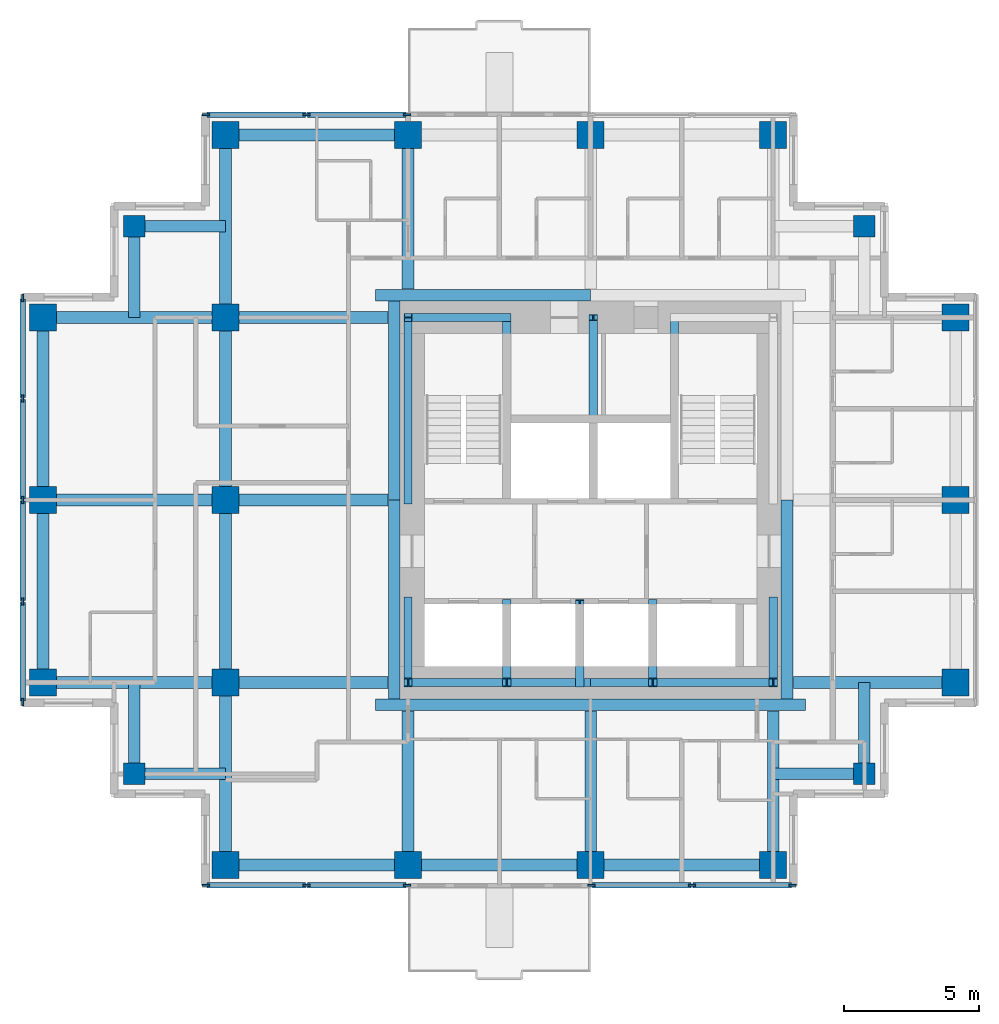
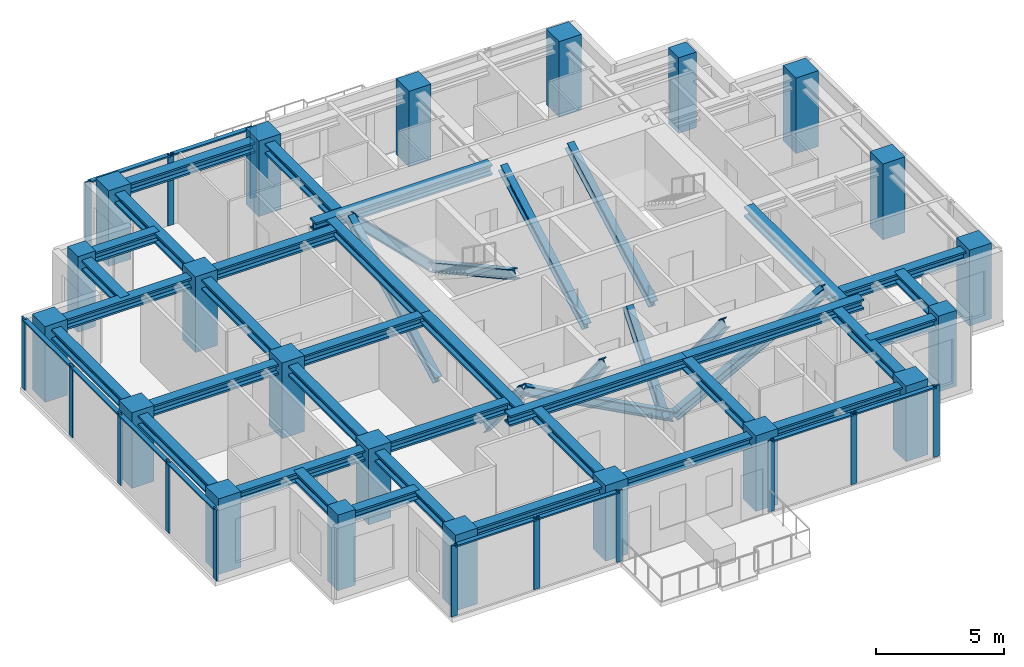
# One storey, part 1 of 8: 36 members, 33 beams, 21 columns, 4 elements without a shape of their own.
"""IFC4 building model written with IfcOpenShell, lengths in metres."""

from ifc_helpers import new_model, si_unit, direction, frame, origin, origin_2d, place, context, subcontext, project, spatial, rectangle, i_section, extrude, material, material_profile, profile_set, type_object, element, aggregate, save


model = new_model("IFC4")

# Units and contexts
model_context = context("Model", 3, precision=1e-05, world=origin(), true_north=direction((0.0, 1.0)))
body_context = subcontext(model_context, "Body", "Model", "MODEL_VIEW")
ifc_project = project(units=[si_unit("LENGTHUNIT", "METRE"), si_unit("AREAUNIT", "SQUARE_METRE"), si_unit("VOLUMEUNIT", "CUBIC_METRE"), si_unit("PLANEANGLEUNIT", "RADIAN"), si_unit("MASSUNIT", "GRAM", prefix="KILO")], contexts=[model_context])

# Site, building, storey
site_placement = place(None, origin())
site = spatial("IfcSite", under=ifc_project, at=site_placement, CompositionType="ELEMENT")
building_placement = place(site_placement, origin())
building = spatial("IfcBuilding", under=site, at=building_placement, Name="Nyansa Garden Tower", CompositionType="ELEMENT")
storey_placement = place(building_placement, frame((0.0, 0.0, 233.10009765625)))
storey = spatial("IfcBuildingStorey", under=building, at=storey_placement, Name="L63", CompositionType="ELEMENT", Elevation=233.10009765625)

# Columns
ifc_material_1 = material(Name="Concrete C70/85", Category="concrete")
ifc_material_profile_1 = material_profile(ifc_material_1, rectangle(XDim=1.0, YDim=1.0, at=origin_2d()), Name="RC 1000x1000")
ifc_profile_set_1 = profile_set([ifc_material_profile_1], Name="Concrete C70/85")
column_type_1 = type_object("IfcColumnType", Name="Column C100 RC 1000x1000", PredefinedType="COLUMN", material=ifc_profile_set_1)
for number, where, z_axis, x_axis, name in (
    (1, (0.0, 13.5, 0.0), (0.0, 0.0, 1.0), (1.0, 0.0, 0.0), "Column 2/F L63"),
    (2, (0.0, 20.25, 0.0), (0.0, 0.0, 1.0), (1.0, 0.0, 0.0), "Column 2/G L63"),
    (3, (0.0, 27.0, 0.0), (0.0, 0.0, 1.0), (1.0, 0.0, 0.0), "Column 2/H L63"),
    (4, (6.75, 6.75, 0.0), (0.0, 0.0, 1.0), (1.0, 0.0, 0.0), "Column 3/E L63"),
    (5, (6.75, 13.5, 0.0), (0.0, 0.0, 1.0), (1.0, 0.0, 0.0), "Column 3/F L63"),
    (6, (6.75, 20.25, 0.0), (0.0, 0.0, 1.0), (1.0, 0.0, 0.0), "Column 3/G L63"),
    (7, (6.75, 27.0, 0.0), (0.0, 0.0, 1.0), (1.0, 0.0, 0.0), "Column 3/H L63"),
    (8, (6.75, 33.75, 0.0), (0.0, 0.0, 1.0), (1.0, 0.0, 0.0), "Column 3/J L63"),
    (9, (13.5, 6.75, 0.0), (0.0, 0.0, 1.0), (1.0, 0.0, 0.0), "Column 4/E L63"),
    (10, (13.5, 33.75, 0.0), (0.0, 0.0, 1.0), (1.0, 0.0, 0.0), "Column 4/J L63"),
    (11, (20.25, 6.75, 0.0), (0.0, 0.0, 1.0), (1.0, 0.0, 0.0), "Column 5/E L63"),
    (12, (20.25, 33.75, 0.0), (0.0, 0.0, 1.0), (1.0, 0.0, 0.0), "Column 5/J L63"),
    (13, (27.0, 6.75, 0.0), (0.0, 0.0, 1.0), (1.0, 0.0, 0.0), "Column 6/E L63"),
    (14, (27.0, 33.75, 0.0), (0.0, 0.0, 1.0), (1.0, 0.0, 0.0), "Column 6/J L63"),
    (15, (33.75, 13.5, 0.0), (0.0, 0.0, 1.0), (1.0, 0.0, 0.0), "Column 7/F L63"),
    (16, (33.75, 20.25, 0.0), (0.0, 0.0, 1.0), (1.0, 0.0, 0.0), "Column 7/G L63"),
    (17, (33.75, 27.0, 0.0), (0.0, 0.0, 1.0), (1.0, 0.0, 0.0), "Column 7/H L63"),
):
    element("IfcColumn", number, at=place(storey_placement, frame(where, z_axis=z_axis, x_axis=x_axis)), inside=storey, type_object=column_type_1, Name=name, PredefinedType="COLUMN", context=body_context, shape_type="SweptSolid", body=[
        extrude(rectangle(XDim=1.0, YDim=1.0, at=origin_2d()), origin(), (0.0, 0.0, 1.0), 3.599853515625),
    ])
ifc_material_2 = material(Name="Concrete C70/85", Category="concrete")
ifc_material_profile_2 = material_profile(ifc_material_2, rectangle(XDim=0.800048828125, YDim=0.800048828125, at=origin_2d()), Name="RC 800x800")
ifc_profile_set_2 = profile_set([ifc_material_profile_2], Name="Concrete C70/85")
column_type_2 = type_object("IfcColumnType", Name="Column C80 RC 800x800", PredefinedType="COLUMN", material=ifc_profile_set_2)
for number, where, z_axis, x_axis, name in (
    (18, (3.375, 10.125, 0.0), (0.0, 0.0, 1.0), (1.0, 0.0, 0.0), "Column x3.375/y10.125 L63"),
    (19, (3.375, 30.375, 0.0), (0.0, 0.0, 1.0), (1.0, 0.0, 0.0), "Column x3.375/y30.375 L63"),
    (20, (30.375, 10.125, 0.0), (0.0, 0.0, 1.0), (1.0, 0.0, 0.0), "Column x30.375/y10.125 L63"),
    (21, (30.375, 30.375, 0.0), (0.0, 0.0, 1.0), (1.0, 0.0, 0.0), "Column x30.375/y30.375 L63"),
):
    element("IfcColumn", number, at=place(storey_placement, frame(where, z_axis=z_axis, x_axis=x_axis)), inside=storey, type_object=column_type_2, Name=name, PredefinedType="COLUMN", context=body_context, shape_type="SweptSolid", body=[
        extrude(rectangle(XDim=0.800048828125, YDim=0.800048828125, at=origin_2d()), origin(), (0.0, 0.0, 1.0), 3.599853515625),
    ])

# Curtain wall, members
ifc_material_3 = material(Name="Black anodised aluminium, dark tinted double glazing", Category="aluminium")
curtain_wall_type = type_object("IfcCurtainWallType", Name="Inner skin curtain wall ISW-D", PredefinedType="USERDEFINED", material=ifc_material_3)
curtain_wall_1_placement = place(storey_placement, origin())
curtain_wall_1 = element("IfcCurtainWall", 22, at=curtain_wall_1_placement, inside=storey, type_object=curtain_wall_type, Name="Inner skin curtain wall L63 N", ObjectType="UNITISED CURTAIN WALL", PredefinedType="USERDEFINED")
ifc_material_4 = material(Name="Black anodised aluminium", Category="aluminium")
ifc_material_profile_3 = material_profile(ifc_material_4, rectangle(XDim=0.070068359375, YDim=0.27490234375, at=origin_2d()), Name="Mullion 275x70")
ifc_profile_set_3 = profile_set([ifc_material_profile_3], Name="Black anodised aluminium")
member_type_1 = type_object("IfcMemberType", Name="Mullion ISW-D 275x70", PredefinedType="MULLION", material=ifc_profile_set_3)
member_1_placement = place(storey_placement, frame((13.465087890625, 34.5, 0.0), z_axis=(0.0, 0.0, 1.0), x_axis=(0.0, -1.0, 0.0)))
member_1 = element("IfcMember", 23, at=member_1_placement, type_object=member_type_1, Name="ISW-D mullion 1", PredefinedType="MULLION", context=body_context, shape_type="SweptSolid", body=[
    extrude(rectangle(XDim=0.070068359375, YDim=0.27490234375, at=origin_2d()), origin(), (0.0, 0.0, 1.0), 3.375),
])
member_2_placement = place(storey_placement, frame((9.75, 34.5, 0.0), z_axis=(0.0, 0.0, 1.0), x_axis=(0.0, -1.0, 0.0)))
member_2 = element("IfcMember", 24, at=member_2_placement, type_object=member_type_1, Name="ISW-D mullion 2", PredefinedType="MULLION", context=body_context, shape_type="SweptSolid", body=[
    extrude(rectangle(XDim=0.070068359375, YDim=0.27490234375, at=origin_2d()), origin(), (0.0, 0.0, 1.0), 3.375),
])
member_3_placement = place(storey_placement, frame((6.034912109375, 34.5, 0.0), z_axis=(0.0, 0.0, 1.0), x_axis=(0.0, -1.0, 0.0)))
member_3 = element("IfcMember", 25, at=member_3_placement, type_object=member_type_1, Name="ISW-D mullion 3", PredefinedType="MULLION", context=body_context, shape_type="SweptSolid", body=[
    extrude(rectangle(XDim=0.070068359375, YDim=0.27490234375, at=origin_2d()), origin(), (0.0, 0.0, 1.0), 3.375),
])

curtain_wall_2_placement = place(storey_placement, origin())
curtain_wall_2 = element("IfcCurtainWall", 26, at=curtain_wall_2_placement, inside=storey, type_object=curtain_wall_type, Name="Inner skin curtain wall L63 W", ObjectType="UNITISED CURTAIN WALL", PredefinedType="USERDEFINED")
member_4_placement = place(storey_placement, frame((-0.75, 27.715087890625, 0.0), z_axis=(0.0, 0.0, 1.0), x_axis=(1.0, 0.0, 0.0)))
member_4 = element("IfcMember", 27, at=member_4_placement, type_object=member_type_1, Name="ISW-D mullion 1", PredefinedType="MULLION", context=body_context, shape_type="SweptSolid", body=[
    extrude(rectangle(XDim=0.070068359375, YDim=0.27490234375, at=origin_2d()), origin(), (0.0, 0.0, 1.0), 3.375),
])
member_5_placement = place(storey_placement, frame((-0.75, 24.0, 0.0), z_axis=(0.0, 0.0, 1.0), x_axis=(1.0, 0.0, 0.0)))
member_5 = element("IfcMember", 28, at=member_5_placement, type_object=member_type_1, Name="ISW-D mullion 2", PredefinedType="MULLION", context=body_context, shape_type="SweptSolid", body=[
    extrude(rectangle(XDim=0.070068359375, YDim=0.27490234375, at=origin_2d()), origin(), (0.0, 0.0, 1.0), 3.375),
])
member_6_placement = place(storey_placement, frame((-0.75, 20.25, 0.0), z_axis=(0.0, 0.0, 1.0), x_axis=(1.0, 0.0, 0.0)))
member_6 = element("IfcMember", 29, at=member_6_placement, type_object=member_type_1, Name="ISW-D mullion 3", PredefinedType="MULLION", context=body_context, shape_type="SweptSolid", body=[
    extrude(rectangle(XDim=0.070068359375, YDim=0.27490234375, at=origin_2d()), origin(), (0.0, 0.0, 1.0), 3.375),
])
member_7_placement = place(storey_placement, frame((-0.75, 16.5, 0.0), z_axis=(0.0, 0.0, 1.0), x_axis=(1.0, 0.0, 0.0)))
member_7 = element("IfcMember", 30, at=member_7_placement, type_object=member_type_1, Name="ISW-D mullion 4", PredefinedType="MULLION", context=body_context, shape_type="SweptSolid", body=[
    extrude(rectangle(XDim=0.070068359375, YDim=0.27490234375, at=origin_2d()), origin(), (0.0, 0.0, 1.0), 3.375),
])
member_8_placement = place(storey_placement, frame((-0.75, 12.784912109375, 0.0), z_axis=(0.0, 0.0, 1.0), x_axis=(1.0, 0.0, 0.0)))
member_8 = element("IfcMember", 31, at=member_8_placement, type_object=member_type_1, Name="ISW-D mullion 5", PredefinedType="MULLION", context=body_context, shape_type="SweptSolid", body=[
    extrude(rectangle(XDim=0.070068359375, YDim=0.27490234375, at=origin_2d()), origin(), (0.0, 0.0, 1.0), 3.375),
])

curtain_wall_3_placement = place(storey_placement, origin())
curtain_wall_3 = element("IfcCurtainWall", 32, at=curtain_wall_3_placement, inside=storey, type_object=curtain_wall_type, Name="Inner skin curtain wall L63 S", ObjectType="UNITISED CURTAIN WALL", PredefinedType="USERDEFINED")
member_9_placement = place(storey_placement, frame((6.034912109375, 6.0, 0.0), z_axis=(0.0, 0.0, 1.0), x_axis=(0.0, 1.0, 0.0)))
member_9 = element("IfcMember", 33, at=member_9_placement, type_object=member_type_1, Name="ISW-D mullion 1", PredefinedType="MULLION", context=body_context, shape_type="SweptSolid", body=[
    extrude(rectangle(XDim=0.070068359375, YDim=0.27490234375, at=origin_2d()), origin(), (0.0, 0.0, 1.0), 3.375),
])
member_10_placement = place(storey_placement, frame((9.75, 6.0, 0.0), z_axis=(0.0, 0.0, 1.0), x_axis=(0.0, 1.0, 0.0)))
member_10 = element("IfcMember", 34, at=member_10_placement, type_object=member_type_1, Name="ISW-D mullion 2", PredefinedType="MULLION", context=body_context, shape_type="SweptSolid", body=[
    extrude(rectangle(XDim=0.070068359375, YDim=0.27490234375, at=origin_2d()), origin(), (0.0, 0.0, 1.0), 3.375),
])
member_11_placement = place(storey_placement, frame((13.465087890625, 6.0, 0.0), z_axis=(0.0, 0.0, 1.0), x_axis=(0.0, 1.0, 0.0)))
member_11 = element("IfcMember", 35, at=member_11_placement, type_object=member_type_1, Name="ISW-D mullion 3", PredefinedType="MULLION", context=body_context, shape_type="SweptSolid", body=[
    extrude(rectangle(XDim=0.070068359375, YDim=0.27490234375, at=origin_2d()), origin(), (0.0, 0.0, 1.0), 3.375),
])

curtain_wall_4_placement = place(storey_placement, origin())
curtain_wall_4 = element("IfcCurtainWall", 36, at=curtain_wall_4_placement, inside=storey, type_object=curtain_wall_type, Name="Inner skin curtain wall L63 S", ObjectType="UNITISED CURTAIN WALL", PredefinedType="USERDEFINED")
member_12_placement = place(storey_placement, frame((20.284912109375, 6.0, 0.0), z_axis=(0.0, 0.0, 1.0), x_axis=(0.0, 1.0, 0.0)))
member_12 = element("IfcMember", 37, at=member_12_placement, type_object=member_type_1, Name="ISW-D mullion 1", PredefinedType="MULLION", context=body_context, shape_type="SweptSolid", body=[
    extrude(rectangle(XDim=0.070068359375, YDim=0.27490234375, at=origin_2d()), origin(), (0.0, 0.0, 1.0), 3.375),
])
member_13_placement = place(storey_placement, frame((24.0, 6.0, 0.0), z_axis=(0.0, 0.0, 1.0), x_axis=(0.0, 1.0, 0.0)))
member_13 = element("IfcMember", 38, at=member_13_placement, type_object=member_type_1, Name="ISW-D mullion 2", PredefinedType="MULLION", context=body_context, shape_type="SweptSolid", body=[
    extrude(rectangle(XDim=0.070068359375, YDim=0.27490234375, at=origin_2d()), origin(), (0.0, 0.0, 1.0), 3.375),
])
member_14_placement = place(storey_placement, frame((27.715087890625, 6.0, 0.0), z_axis=(0.0, 0.0, 1.0), x_axis=(0.0, 1.0, 0.0)))
member_14 = element("IfcMember", 39, at=member_14_placement, type_object=member_type_1, Name="ISW-D mullion 3", PredefinedType="MULLION", context=body_context, shape_type="SweptSolid", body=[
    extrude(rectangle(XDim=0.070068359375, YDim=0.27490234375, at=origin_2d()), origin(), (0.0, 0.0, 1.0), 3.375),
])

# Members
ifc_material_5 = material(Name="Steel S355", Category="steel")
ifc_material_profile_4 = material_profile(ifc_material_5, i_section(OverallWidth=0.306884765625, OverallDepth=0.431884765625, WebThickness=0.02099609375, FlangeThickness=0.0400390625, FilletRadius=0.027099609375, at=origin_2d()), Name="HE 400 M")
ifc_profile_set_4 = profile_set([ifc_material_profile_4], Name="Steel S355")
member_type_2 = type_object("IfcMemberType", Name="Perimeter brace HE 400 M", PredefinedType="BRACE", material=ifc_profile_set_4)
for number, where, z_axis, x_axis, name in (
    (40, (20.25, 13.5, 0.0), (-0.882360891967, 0.0, 0.470573327259), (0.0, -1.0, 0.0), "Core brace CS1 L63"),
    (41, (20.25, 13.5, 0.0), (0.882360891967, 0.0, 0.470573327259), (0.0, 1.0, 0.0), "Core brace CS2 L63"),
):
    element("IfcMember", number, at=place(storey_placement, frame(where, z_axis=z_axis, x_axis=x_axis)), inside=storey, type_object=member_type_2, Name=name, PredefinedType="BRACE", context=body_context, shape_type="SweptSolid", body=[
        extrude(i_section(OverallWidth=0.306884765625, OverallDepth=0.431884765625, WebThickness=0.02099609375, FlangeThickness=0.0400390625, FilletRadius=0.027099609375, at=origin_2d()), origin(), (0.0, 0.0, 1.0), 7.64990234375),
    ])
member_15_placement = place(storey_placement, frame((17.14990234375, 27.0, 0.0), z_axis=(-0.711971340796, 0.0, 0.702208523079), x_axis=(0.0, -1.0, 0.0)))
element("IfcMember", 42, at=member_15_placement, inside=storey, type_object=member_type_2, Name="Core brace CN3 L63", PredefinedType="BRACE", context=body_context, shape_type="SweptSolid", body=[
    extrude(i_section(OverallWidth=0.306884765625, OverallDepth=0.431884765625, WebThickness=0.02099609375, FlangeThickness=0.0400390625, FilletRadius=0.027099609375, at=origin_2d()), origin(), (0.0, 0.0, 1.0), 5.12646484375),
])
member_16_placement = place(storey_placement, frame((13.5, 16.5, 0.0), z_axis=(0.0, -0.640199773186, 0.768208468069), x_axis=(1.0, 0.0, 0.0)))
element("IfcMember", 43, at=member_16_placement, inside=storey, type_object=member_type_2, Name="Core brace CW5 L63", PredefinedType="BRACE", context=body_context, shape_type="SweptSolid", body=[
    extrude(i_section(OverallWidth=0.306884765625, OverallDepth=0.431884765625, WebThickness=0.02099609375, FlangeThickness=0.0400390625, FilletRadius=0.027099609375, at=origin_2d()), origin(), (0.0, 0.0, 1.0), 4.68603515625),
])
member_17_placement = place(storey_placement, frame((13.5, 20.199951171875, 0.0), z_axis=(0.0, 0.883797178129, 0.467870225524), x_axis=(-1.0, 0.0, 0.0)))
element("IfcMember", 44, at=member_17_placement, inside=storey, type_object=member_type_2, Name="Core brace CW6 L63", PredefinedType="BRACE", context=body_context, shape_type="SweptSolid", body=[
    extrude(i_section(OverallWidth=0.306884765625, OverallDepth=0.431884765625, WebThickness=0.02099609375, FlangeThickness=0.0400390625, FilletRadius=0.027099609375, at=origin_2d()), origin(), (0.0, 0.0, 1.0), 7.694091796875),
])
member_18_placement = place(storey_placement, frame((27.0, 16.5, 0.0), z_axis=(0.0, -0.640199773186, 0.768208468069), x_axis=(1.0, 0.0, 0.0)))
element("IfcMember", 45, at=member_18_placement, inside=storey, type_object=member_type_2, Name="Core brace CE7 L63", PredefinedType="BRACE", context=body_context, shape_type="SweptSolid", body=[
    extrude(i_section(OverallWidth=0.306884765625, OverallDepth=0.431884765625, WebThickness=0.02099609375, FlangeThickness=0.0400390625, FilletRadius=0.027099609375, at=origin_2d()), origin(), (0.0, 0.0, 1.0), 4.68603515625),
])
for number, where, z_axis, x_axis, name in (
    (46, (17.14990234375, 27.0, 0.0), (0.0, -0.876366901673, 0.481644115143), (1.0, 0.0, 0.0), "Core brace CWS9 L63"),
    (47, (23.35009765625, 20.449951171875, 0.0), (0.0, 0.876366901673, 0.481644115143), (-1.0, 0.0, 0.0), "Core brace CES10 L63"),
):
    element("IfcMember", number, at=place(storey_placement, frame(where, z_axis=z_axis, x_axis=x_axis)), inside=storey, type_object=member_type_2, Name=name, PredefinedType="BRACE", context=body_context, shape_type="SweptSolid", body=[
        extrude(i_section(OverallWidth=0.306884765625, OverallDepth=0.431884765625, WebThickness=0.02099609375, FlangeThickness=0.0400390625, FilletRadius=0.027099609375, at=origin_2d()), origin(), (0.0, 0.0, 1.0), 7.47412109375),
    ])
for number, where, z_axis, x_axis, name in (
    (48, (17.14990234375, 16.39990234375, 0.0), (0.0, -0.627332207022, 0.778751758928), (1.0, 0.0, 0.0), "Core brace CSW11 L63"),
    (49, (19.85009765625, 13.5, 0.0), (0.0, 0.627332207022, 0.778751758928), (-1.0, 0.0, 0.0), "Core brace CSW12 L63"),
    (50, (22.550048828125, 16.39990234375, 0.0), (0.0, -0.627332207022, 0.778751758928), (1.0, 0.0, 0.0), "Core brace CSW13 L63"),
):
    element("IfcMember", number, at=place(storey_placement, frame(where, z_axis=z_axis, x_axis=x_axis)), inside=storey, type_object=member_type_2, Name=name, PredefinedType="BRACE", context=body_context, shape_type="SweptSolid", body=[
        extrude(i_section(OverallWidth=0.306884765625, OverallDepth=0.431884765625, WebThickness=0.02099609375, FlangeThickness=0.0400390625, FilletRadius=0.027099609375, at=origin_2d()), origin(), (0.0, 0.0, 1.0), 4.62255859375),
    ])
member_19_placement = place(storey_placement, frame((20.35009765625, 20.449951171875, 0.0), z_axis=(0.0, 0.876366901673, 0.481644115143), x_axis=(-1.0, 0.0, 0.0)))
element("IfcMember", 51, at=member_19_placement, inside=storey, type_object=member_type_2, Name="Core brace CNW14 L63", PredefinedType="BRACE", context=body_context, shape_type="SweptSolid", body=[
    extrude(i_section(OverallWidth=0.306884765625, OverallDepth=0.431884765625, WebThickness=0.02099609375, FlangeThickness=0.0400390625, FilletRadius=0.027099609375, at=origin_2d()), origin(), (0.0, 0.0, 1.0), 7.47412109375),
])

# Beams
ifc_material_6 = material(Name="Steel S355", Category="steel")
ifc_material_profile_5 = material_profile(ifc_material_6, i_section(OverallWidth=0.431884765625, OverallDepth=0.498046875, WebThickness=0.0556640625, FlangeThickness=0.0888671875, FilletRadius=0.014892578125, at=origin_2d()), Name="HD 400x744")
ifc_profile_set_5 = profile_set([ifc_material_profile_5], Name="Steel S355")
beam_type_1 = type_object("IfcBeamType", Name="Steel beam SBD1-744 HD 400x744", PredefinedType="BEAM", material=ifc_profile_set_5)
for number, where, z_axis, x_axis, name in (
    (52, (0.0, 13.5, 3.1259765625), (1.0, 0.0, 0.0), (0.0, 1.0, 0.0), "Steel beam 2/F-3/F L64"),
    (53, (0.0, 20.25, 3.1259765625), (1.0, 0.0, 0.0), (0.0, 1.0, 0.0), "Steel beam 2/G-3/G L64"),
    (54, (0.0, 27.0, 3.1259765625), (1.0, 0.0, 0.0), (0.0, 1.0, 0.0), "Steel beam 2/H-3/H L64"),
    (55, (6.75, 6.75, 3.1259765625), (0.0, 1.0, 0.0), (-1.0, 0.0, 0.0), "Steel beam 3/E-3/F L64"),
    (56, (6.75, 13.5, 3.1259765625), (0.0, 1.0, 0.0), (-1.0, 0.0, 0.0), "Steel beam 3/F-3/G L64"),
):
    element("IfcBeam", number, at=place(storey_placement, frame(where, z_axis=z_axis, x_axis=x_axis)), inside=storey, type_object=beam_type_1, Name=name, PredefinedType="BEAM", context=body_context, shape_type="SweptSolid", body=[
        extrude(i_section(OverallWidth=0.431884765625, OverallDepth=0.498046875, WebThickness=0.0556640625, FlangeThickness=0.0888671875, FilletRadius=0.014892578125, at=origin_2d()), origin(), (0.0, 0.0, 1.0), 6.75),
    ])
beam_1_placement = place(storey_placement, frame((6.75, 13.5, 3.1259765625), z_axis=(1.0, 0.0, 0.0), x_axis=(0.0, 1.0, 0.0)))
element("IfcBeam", 57, at=beam_1_placement, inside=storey, type_object=beam_type_1, Name="Steel beam 3/F-12.750/F L64", PredefinedType="BEAM", context=body_context, shape_type="SweptSolid", body=[
    extrude(i_section(OverallWidth=0.431884765625, OverallDepth=0.498046875, WebThickness=0.0556640625, FlangeThickness=0.0888671875, FilletRadius=0.014892578125, at=origin_2d()), origin(), (0.0, 0.0, 1.0), 6.0),
])
beam_2_placement = place(storey_placement, frame((6.75, 20.25, 3.1259765625), z_axis=(0.0, 1.0, 0.0), x_axis=(-1.0, 0.0, 0.0)))
element("IfcBeam", 58, at=beam_2_placement, inside=storey, type_object=beam_type_1, Name="Steel beam 3/G-3/H L64", PredefinedType="BEAM", context=body_context, shape_type="SweptSolid", body=[
    extrude(i_section(OverallWidth=0.431884765625, OverallDepth=0.498046875, WebThickness=0.0556640625, FlangeThickness=0.0888671875, FilletRadius=0.014892578125, at=origin_2d()), origin(), (0.0, 0.0, 1.0), 6.75),
])
beam_3_placement = place(storey_placement, frame((6.75, 20.25, 3.1259765625), z_axis=(1.0, 0.0, 0.0), x_axis=(0.0, 1.0, 0.0)))
element("IfcBeam", 59, at=beam_3_placement, inside=storey, type_object=beam_type_1, Name="Steel beam 3/G-12.750/G L64", PredefinedType="BEAM", context=body_context, shape_type="SweptSolid", body=[
    extrude(i_section(OverallWidth=0.431884765625, OverallDepth=0.498046875, WebThickness=0.0556640625, FlangeThickness=0.0888671875, FilletRadius=0.014892578125, at=origin_2d()), origin(), (0.0, 0.0, 1.0), 6.0),
])
beam_4_placement = place(storey_placement, frame((6.75, 27.0, 3.1259765625), z_axis=(0.0, 1.0, 0.0), x_axis=(-1.0, 0.0, 0.0)))
element("IfcBeam", 60, at=beam_4_placement, inside=storey, type_object=beam_type_1, Name="Steel beam 3/H-3/J L64", PredefinedType="BEAM", context=body_context, shape_type="SweptSolid", body=[
    extrude(i_section(OverallWidth=0.431884765625, OverallDepth=0.498046875, WebThickness=0.0556640625, FlangeThickness=0.0888671875, FilletRadius=0.014892578125, at=origin_2d()), origin(), (0.0, 0.0, 1.0), 6.75),
])
beam_5_placement = place(storey_placement, frame((6.75, 27.0, 3.1259765625), z_axis=(1.0, 0.0, 0.0), x_axis=(0.0, 1.0, 0.0)))
element("IfcBeam", 61, at=beam_5_placement, inside=storey, type_object=beam_type_1, Name="Steel beam 3/H-12.750/H L64", PredefinedType="BEAM", context=body_context, shape_type="SweptSolid", body=[
    extrude(i_section(OverallWidth=0.431884765625, OverallDepth=0.498046875, WebThickness=0.0556640625, FlangeThickness=0.0888671875, FilletRadius=0.014892578125, at=origin_2d()), origin(), (0.0, 0.0, 1.0), 6.0),
])
for number, where, z_axis, x_axis, name in (
    (62, (13.5, 6.75, 3.1259765625), (0.0, 1.0, 0.0), (-1.0, 0.0, 0.0), "Steel beam 4/E-4/12.450 L64"),
    (63, (13.5, 28.050048828125, 3.1259765625), (0.0, 1.0, 0.0), (-1.0, 0.0, 0.0), "Steel beam 4/28.050-4/J L64"),
    (64, (20.25, 6.75, 3.1259765625), (0.0, 1.0, 0.0), (-1.0, 0.0, 0.0), "Steel beam 5/E-5/12.450 L64"),
    (65, (27.0, 6.75, 3.1259765625), (0.0, 1.0, 0.0), (-1.0, 0.0, 0.0), "Steel beam 6/E-6/12.450 L64"),
):
    element("IfcBeam", number, at=place(storey_placement, frame(where, z_axis=z_axis, x_axis=x_axis)), inside=storey, type_object=beam_type_1, Name=name, PredefinedType="BEAM", context=body_context, shape_type="SweptSolid", body=[
        extrude(i_section(OverallWidth=0.431884765625, OverallDepth=0.498046875, WebThickness=0.0556640625, FlangeThickness=0.0888671875, FilletRadius=0.014892578125, at=origin_2d()), origin(), (0.0, 0.0, 1.0), 5.699951171875),
    ])
beam_6_placement = place(storey_placement, frame((27.75, 13.5, 3.1259765625), z_axis=(1.0, 0.0, 0.0), x_axis=(0.0, 1.0, 0.0)))
element("IfcBeam", 66, at=beam_6_placement, inside=storey, type_object=beam_type_1, Name="Steel beam 27.750/F-7/F L64", PredefinedType="BEAM", context=body_context, shape_type="SweptSolid", body=[
    extrude(i_section(OverallWidth=0.431884765625, OverallDepth=0.498046875, WebThickness=0.0556640625, FlangeThickness=0.0888671875, FilletRadius=0.014892578125, at=origin_2d()), origin(), (0.0, 0.0, 1.0), 6.0),
])
ifc_material_7 = material(Name="Steel S355", Category="steel")
ifc_material_profile_6 = material_profile(ifc_material_7, i_section(OverallWidth=0.431884765625, OverallDepth=0.498046875, WebThickness=0.0556640625, FlangeThickness=0.0888671875, FilletRadius=0.014892578125, at=origin_2d()), Name="HD 400x744")
ifc_profile_set_6 = profile_set([ifc_material_profile_6], Name="Steel S355")
beam_type_2 = type_object("IfcBeamType", Name="Steel beam SEBD-744 HD 400x744", PredefinedType="BEAM", material=ifc_profile_set_6)
for number, where, z_axis, x_axis, name in (
    (67, (0.0, 13.5, 3.1259765625), (0.0, 1.0, 0.0), (-1.0, 0.0, 0.0), "Steel edge beam 2/F-2/G L64"),
    (68, (0.0, 20.25, 3.1259765625), (0.0, 1.0, 0.0), (-1.0, 0.0, 0.0), "Steel edge beam 2/G-2/H L64"),
    (69, (6.75, 6.75, 3.1259765625), (1.0, 0.0, 0.0), (0.0, 1.0, 0.0), "Steel edge beam 3/E-4/E L64"),
    (70, (6.75, 33.75, 3.1259765625), (1.0, 0.0, 0.0), (0.0, 1.0, 0.0), "Steel edge beam 3/J-4/J L64"),
    (71, (13.5, 6.75, 3.1259765625), (1.0, 0.0, 0.0), (0.0, 1.0, 0.0), "Steel edge beam 4/E-5/E L64"),
    (72, (20.25, 6.75, 3.1259765625), (1.0, 0.0, 0.0), (0.0, 1.0, 0.0), "Steel edge beam 5/E-6/E L64"),
):
    element("IfcBeam", number, at=place(storey_placement, frame(where, z_axis=z_axis, x_axis=x_axis)), inside=storey, type_object=beam_type_2, Name=name, PredefinedType="BEAM", context=body_context, shape_type="SweptSolid", body=[
        extrude(i_section(OverallWidth=0.431884765625, OverallDepth=0.498046875, WebThickness=0.0556640625, FlangeThickness=0.0888671875, FilletRadius=0.014892578125, at=origin_2d()), origin(), (0.0, 0.0, 1.0), 6.75),
    ])
ifc_material_8 = material(Name="Steel S355", Category="steel")
ifc_material_profile_7 = material_profile(ifc_material_8, i_section(OverallWidth=0.431884765625, OverallDepth=0.498046875, WebThickness=0.0556640625, FlangeThickness=0.0888671875, FilletRadius=0.014892578125, at=origin_2d()), Name="HD 400x744")
ifc_profile_set_7 = profile_set([ifc_material_profile_7], Name="Steel S355")
beam_type_3 = type_object("IfcBeamType", Name="Steel beam SLB1-744 HD 400x744", PredefinedType="BEAM", material=ifc_profile_set_7)
for number, where, z_axis, x_axis, name in (
    (73, (12.300048828125, 12.68408203125, 3.1259765625), (1.0, 0.0, 0.0), (0.0, 1.0, 0.0), "Steel core ledger beam S.1 L64"),
    (74, (20.25, 12.68408203125, 3.1259765625), (1.0, 0.0, 0.0), (0.0, 1.0, 0.0), "Steel core ledger beam S.2 L64"),
):
    element("IfcBeam", number, at=place(storey_placement, frame(where, z_axis=z_axis, x_axis=x_axis)), inside=storey, type_object=beam_type_3, Name=name, PredefinedType="BEAM", context=body_context, shape_type="SweptSolid", body=[
        extrude(i_section(OverallWidth=0.431884765625, OverallDepth=0.498046875, WebThickness=0.0556640625, FlangeThickness=0.0888671875, FilletRadius=0.014892578125, at=origin_2d()), origin(), (0.0, 0.0, 1.0), 7.949951171875),
    ])
beam_7_placement = place(storey_placement, frame((27.51611328125, 12.89990234375, 3.1259765625), z_axis=(0.0, 1.0, 0.0), x_axis=(-1.0, 0.0, 0.0)))
element("IfcBeam", 75, at=beam_7_placement, inside=storey, type_object=beam_type_3, Name="Steel core ledger beam E.1 L64", PredefinedType="BEAM", context=body_context, shape_type="SweptSolid", body=[
    extrude(i_section(OverallWidth=0.431884765625, OverallDepth=0.498046875, WebThickness=0.0556640625, FlangeThickness=0.0888671875, FilletRadius=0.014892578125, at=origin_2d()), origin(), (0.0, 0.0, 1.0), 7.35009765625),
])
beam_8_placement = place(storey_placement, frame((20.25, 27.81591796875, 3.1259765625), z_axis=(-1.0, 0.0, 0.0), x_axis=(0.0, -1.0, 0.0)))
element("IfcBeam", 76, at=beam_8_placement, inside=storey, type_object=beam_type_3, Name="Steel core ledger beam N.2 L64", PredefinedType="BEAM", context=body_context, shape_type="SweptSolid", body=[
    extrude(i_section(OverallWidth=0.431884765625, OverallDepth=0.498046875, WebThickness=0.0556640625, FlangeThickness=0.0888671875, FilletRadius=0.014892578125, at=origin_2d()), origin(), (0.0, 0.0, 1.0), 7.949951171875),
])
for number, where, z_axis, x_axis, name in (
    (77, (12.98388671875, 27.60009765625, 3.1259765625), (0.0, -1.0, 0.0), (1.0, 0.0, 0.0), "Steel core ledger beam W.1 L64"),
    (78, (12.98388671875, 20.25, 3.1259765625), (0.0, -1.0, 0.0), (1.0, 0.0, 0.0), "Steel core ledger beam W.2 L64"),
):
    element("IfcBeam", number, at=place(storey_placement, frame(where, z_axis=z_axis, x_axis=x_axis)), inside=storey, type_object=beam_type_3, Name=name, PredefinedType="BEAM", context=body_context, shape_type="SweptSolid", body=[
        extrude(i_section(OverallWidth=0.431884765625, OverallDepth=0.498046875, WebThickness=0.0556640625, FlangeThickness=0.0888671875, FilletRadius=0.014892578125, at=origin_2d()), origin(), (0.0, 0.0, 1.0), 7.35009765625),
    ])
ifc_material_9 = material(Name="Steel S355", Category="steel")
ifc_material_profile_8 = material_profile(ifc_material_9, i_section(OverallWidth=0.431884765625, OverallDepth=0.498046875, WebThickness=0.0556640625, FlangeThickness=0.0888671875, FilletRadius=0.014892578125, at=origin_2d()), Name="HD 400x744")
ifc_profile_set_8 = profile_set([ifc_material_profile_8], Name="Steel S355")
beam_type_4 = type_object("IfcBeamType", Name="Steel beam SSB1-744 HD 400x744", PredefinedType="BEAM", material=ifc_profile_set_8)
for number, where, z_axis, x_axis, name in (
    (79, (3.375, 10.125, 3.1259765625), (0.0, 1.0, 0.0), (-1.0, 0.0, 0.0), "Steel step beam 3.375/10.125 L64"),
    (80, (3.375, 10.125, 3.1259765625), (1.0, 0.0, 0.0), (0.0, 1.0, 0.0), "Steel step beam 3.375/10.125 L64"),
    (81, (30.375, 10.125, 3.1259765625), (0.0, 1.0, 0.0), (-1.0, 0.0, 0.0), "Steel step beam 30.375/10.125 L64"),
    (82, (30.375, 10.125, 3.1259765625), (-1.0, 0.0, 0.0), (0.0, -1.0, 0.0), "Steel step beam 30.375/10.125 L64"),
    (83, (3.375, 30.375, 3.1259765625), (0.0, -1.0, 0.0), (1.0, 0.0, 0.0), "Steel step beam 3.375/30.375 L64"),
    (84, (3.375, 30.375, 3.1259765625), (1.0, 0.0, 0.0), (0.0, 1.0, 0.0), "Steel step beam 3.375/30.375 L64"),
):
    element("IfcBeam", number, at=place(storey_placement, frame(where, z_axis=z_axis, x_axis=x_axis)), inside=storey, type_object=beam_type_4, Name=name, PredefinedType="BEAM", context=body_context, shape_type="SweptSolid", body=[
        extrude(i_section(OverallWidth=0.431884765625, OverallDepth=0.498046875, WebThickness=0.0556640625, FlangeThickness=0.0888671875, FilletRadius=0.014892578125, at=origin_2d()), origin(), (0.0, 0.0, 1.0), 3.375),
    ])

# Member
ifc_material_10 = material(Name="Black anodised aluminium", Category="aluminium")
ifc_material_profile_9 = material_profile(ifc_material_10, rectangle(XDim=0.195068359375, YDim=0.070068359375, at=origin_2d()), Name="Transom 195x70")
ifc_profile_set_9 = profile_set([ifc_material_profile_9], Name="Black anodised aluminium")
member_type_3 = type_object("IfcMemberType", Name="Transom ISW-D 195x70", PredefinedType="USERDEFINED", material=ifc_profile_set_9)
member_20_placement = place(storey_placement, frame((13.429931640625, 34.5, 3.33984375), z_axis=(-1.0, 0.0, 0.0), x_axis=(0.0, -1.0, 0.0)))
member_20 = element("IfcMember", 85, at=member_20_placement, type_object=member_type_3, Name="ISW-D transom 1", ObjectType="TRANSOM", PredefinedType="USERDEFINED", context=body_context, shape_type="SweptSolid", body=[
    extrude(rectangle(XDim=0.195068359375, YDim=0.070068359375, at=origin_2d()), origin(), (0.0, 0.0, 1.0), 3.64501953125),
])

member_21_placement = place(storey_placement, frame((9.715087890625, 34.5, 3.33984375), z_axis=(-1.0, 0.0, 0.0), x_axis=(0.0, -1.0, 0.0)))
member_21 = element("IfcMember", 86, at=member_21_placement, type_object=member_type_3, Name="ISW-D transom 2", ObjectType="TRANSOM", PredefinedType="USERDEFINED", context=body_context, shape_type="SweptSolid", body=[
    extrude(rectangle(XDim=0.195068359375, YDim=0.070068359375, at=origin_2d()), origin(), (0.0, 0.0, 1.0), 3.64501953125),
])

aggregate(curtain_wall_1, [member_1, member_2, member_3, member_20, member_21])

member_22_placement = place(storey_placement, frame((-0.75, 27.679931640625, 3.33984375), z_axis=(0.0, -1.0, 0.0), x_axis=(1.0, 0.0, 0.0)))
member_22 = element("IfcMember", 87, at=member_22_placement, type_object=member_type_3, Name="ISW-D transom 1", ObjectType="TRANSOM", PredefinedType="USERDEFINED", context=body_context, shape_type="SweptSolid", body=[
    extrude(rectangle(XDim=0.195068359375, YDim=0.070068359375, at=origin_2d()), origin(), (0.0, 0.0, 1.0), 3.64501953125),
])

member_23_placement = place(storey_placement, frame((-0.75, 23.965087890625, 3.33984375), z_axis=(0.0, -1.0, 0.0), x_axis=(1.0, 0.0, 0.0)))
member_23 = element("IfcMember", 88, at=member_23_placement, type_object=member_type_3, Name="ISW-D transom 2", ObjectType="TRANSOM", PredefinedType="USERDEFINED", context=body_context, shape_type="SweptSolid", body=[
    extrude(rectangle(XDim=0.195068359375, YDim=0.070068359375, at=origin_2d()), origin(), (0.0, 0.0, 1.0), 3.68017578125),
])

member_24_placement = place(storey_placement, frame((-0.75, 20.215087890625, 3.33984375), z_axis=(0.0, -1.0, 0.0), x_axis=(1.0, 0.0, 0.0)))
member_24 = element("IfcMember", 89, at=member_24_placement, type_object=member_type_3, Name="ISW-D transom 3", ObjectType="TRANSOM", PredefinedType="USERDEFINED", context=body_context, shape_type="SweptSolid", body=[
    extrude(rectangle(XDim=0.195068359375, YDim=0.070068359375, at=origin_2d()), origin(), (0.0, 0.0, 1.0), 3.68017578125),
])

member_25_placement = place(storey_placement, frame((-0.75, 16.465087890625, 3.33984375), z_axis=(0.0, -1.0, 0.0), x_axis=(1.0, 0.0, 0.0)))
member_25 = element("IfcMember", 90, at=member_25_placement, type_object=member_type_3, Name="ISW-D transom 4", ObjectType="TRANSOM", PredefinedType="USERDEFINED", context=body_context, shape_type="SweptSolid", body=[
    extrude(rectangle(XDim=0.195068359375, YDim=0.070068359375, at=origin_2d()), origin(), (0.0, 0.0, 1.0), 3.64501953125),
])

aggregate(curtain_wall_2, [member_4, member_5, member_6, member_7, member_8, member_22, member_23, member_24, member_25])

member_26_placement = place(storey_placement, frame((6.070068359375, 6.0, 3.33984375), z_axis=(1.0, 0.0, 0.0), x_axis=(0.0, 1.0, 0.0)))
member_26 = element("IfcMember", 91, at=member_26_placement, type_object=member_type_3, Name="ISW-D transom 1", ObjectType="TRANSOM", PredefinedType="USERDEFINED", context=body_context, shape_type="SweptSolid", body=[
    extrude(rectangle(XDim=0.195068359375, YDim=0.070068359375, at=origin_2d()), origin(), (0.0, 0.0, 1.0), 3.64501953125),
])

member_27_placement = place(storey_placement, frame((9.784912109375, 6.0, 3.33984375), z_axis=(1.0, 0.0, 0.0), x_axis=(0.0, 1.0, 0.0)))
member_27 = element("IfcMember", 92, at=member_27_placement, type_object=member_type_3, Name="ISW-D transom 2", ObjectType="TRANSOM", PredefinedType="USERDEFINED", context=body_context, shape_type="SweptSolid", body=[
    extrude(rectangle(XDim=0.195068359375, YDim=0.070068359375, at=origin_2d()), origin(), (0.0, 0.0, 1.0), 3.64501953125),
])

aggregate(curtain_wall_3, [member_9, member_10, member_11, member_26, member_27])

member_28_placement = place(storey_placement, frame((20.320068359375, 6.0, 3.33984375), z_axis=(1.0, 0.0, 0.0), x_axis=(0.0, 1.0, 0.0)))
member_28 = element("IfcMember", 93, at=member_28_placement, type_object=member_type_3, Name="ISW-D transom 1", ObjectType="TRANSOM", PredefinedType="USERDEFINED", context=body_context, shape_type="SweptSolid", body=[
    extrude(rectangle(XDim=0.195068359375, YDim=0.070068359375, at=origin_2d()), origin(), (0.0, 0.0, 1.0), 3.64501953125),
])

member_29_placement = place(storey_placement, frame((24.034912109375, 6.0, 3.33984375), z_axis=(1.0, 0.0, 0.0), x_axis=(0.0, 1.0, 0.0)))
member_29 = element("IfcMember", 94, at=member_29_placement, type_object=member_type_3, Name="ISW-D transom 2", ObjectType="TRANSOM", PredefinedType="USERDEFINED", context=body_context, shape_type="SweptSolid", body=[
    extrude(rectangle(XDim=0.195068359375, YDim=0.070068359375, at=origin_2d()), origin(), (0.0, 0.0, 1.0), 3.64501953125),
])

aggregate(curtain_wall_4, [member_12, member_13, member_14, member_28, member_29])

save(model, "model.ifc")
